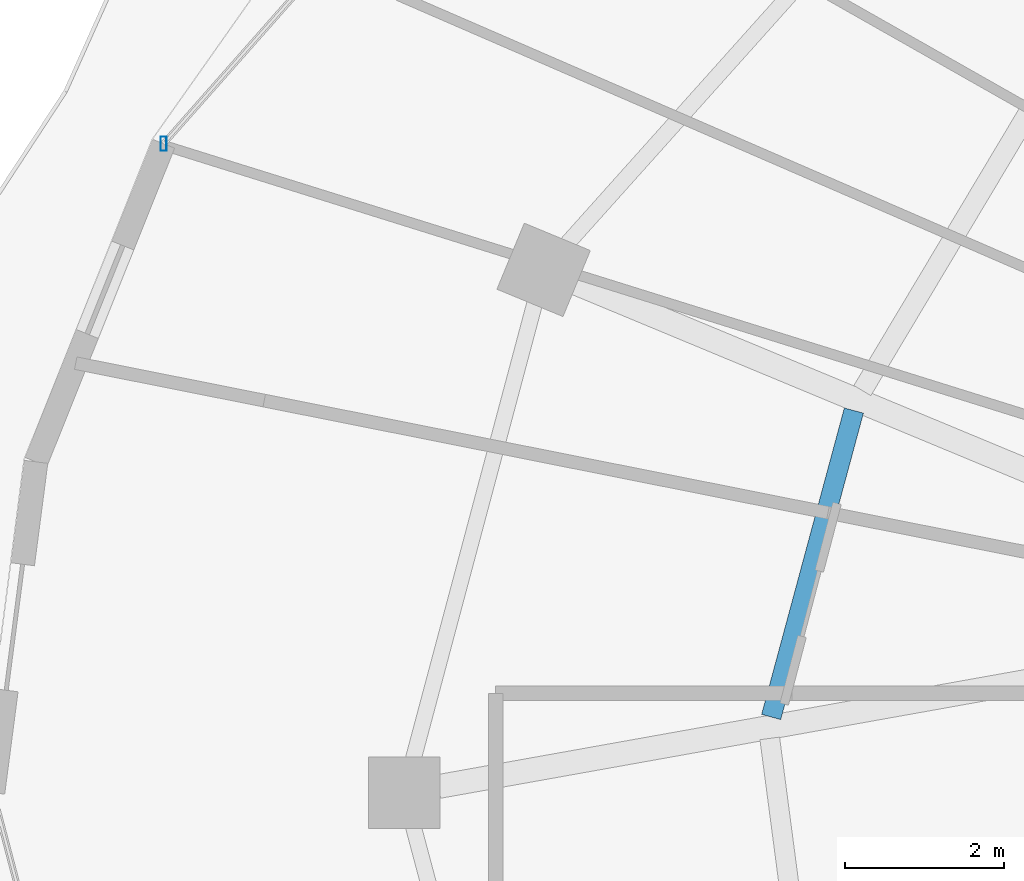
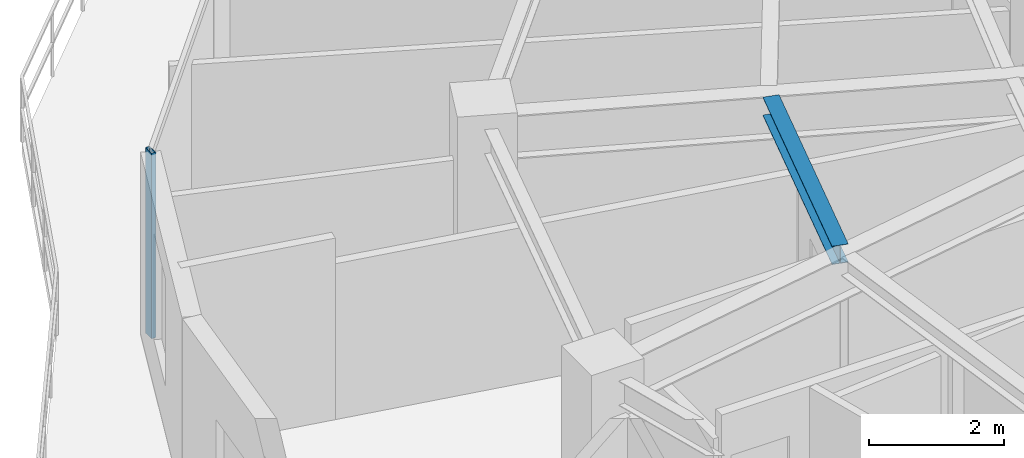
# One storey, part 9 of 34: 1 beam, 1 member, 1 element without a shape of its own.
"""IFC4 building model written with IfcOpenShell, lengths in metres."""

from ifc_helpers import new_model, si_unit, direction, frame, origin, origin_2d, place, context, subcontext, project, spatial, hollow_rectangle, i_section, extrude, material, material_profile, profile_set, type_object, element, aggregate, save


model = new_model("IFC4")

# Units and contexts
model_context = context("Model", 3, precision=1e-05, world=origin(), true_north=direction((0.0, 1.0)))
body_context = subcontext(model_context, "Body", "Model", "MODEL_VIEW")
ifc_project = project(units=[si_unit("LENGTHUNIT", "METRE"), si_unit("AREAUNIT", "SQUARE_METRE"), si_unit("VOLUMEUNIT", "CUBIC_METRE"), si_unit("PLANEANGLEUNIT", "RADIAN"), si_unit("MASSUNIT", "GRAM", prefix="KILO")], contexts=[model_context])

# Site, building, storey
site_placement = place(None, origin())
site = spatial("IfcSite", under=ifc_project, at=site_placement, CompositionType="ELEMENT")
building_placement = place(site_placement, origin())
building = spatial("IfcBuilding", under=site, at=building_placement, Name="Vorneva Point Tower", CompositionType="ELEMENT")
storey_placement = place(building_placement, frame((0.0, 0.0, 210.75)))
storey = spatial("IfcBuildingStorey", under=building, at=storey_placement, Name="L57", CompositionType="ELEMENT", Elevation=210.75)

# Beam
ifc_material_1 = material(Name="Steel S355", Category="steel")
ifc_material_profile_1 = material_profile(ifc_material_1, i_section(OverallWidth=0.2490234375, OverallDepth=0.333984375, WebThickness=0.008056640625, FlangeThickness=0.010986328125, at=origin_2d()), Name="35Sh1")
ifc_profile_set_1 = profile_set([ifc_material_profile_1], Name="Steel S355")
beam_type = type_object("IfcBeamType", Name="BM-SEC-35Sh1", PredefinedType="BEAM", material=ifc_profile_set_1)
beam_placement = place(storey_placement, frame((20.61083984375, 30.810791015625, 3.123046875), z_axis=(-0.260635102056, -0.965437384596, 0.0), x_axis=(0.965437384596, -0.260635102056, 0.0)))
element("IfcBeam", 1, at=beam_placement, inside=storey, type_object=beam_type, Name="L57 Secondary Floor Beam 1.08", PredefinedType="BEAM", context=body_context, shape_type="SweptSolid", body=[
    extrude(i_section(OverallWidth=0.2490234375, OverallDepth=0.333984375, WebThickness=0.008056640625, FlangeThickness=0.010986328125, at=origin_2d()), origin(), (0.0, 0.0, 1.0), 3.99609375),
])

# Curtain wall, member
ifc_material_2 = material(Name="Pale anodised aluminium", Category="aluminium")
curtain_wall_type = type_object("IfcCurtainWallType", Name="CW-RES-SYS", PredefinedType="NOTDEFINED", material=ifc_material_2)
curtain_wall_placement = place(storey_placement, origin())
curtain_wall = element("IfcCurtainWall", 2, at=curtain_wall_placement, inside=storey, type_object=curtain_wall_type, Name="L57 Unitised Curtain Wall CW-L57-R02", PredefinedType="NOTDEFINED")
ifc_material_profile_2 = material_profile(ifc_material_2, hollow_rectangle(XDim=0.074951171875, YDim=0.179931640625, WallThickness=0.00390625, at=origin_2d()), Name="AL-MUL 180x75x4")
ifc_profile_set_2 = profile_set([ifc_material_profile_2], Name="Pale anodised aluminium")
member_type = type_object("IfcMemberType", Name="CW-MUL-180", PredefinedType="MULLION", material=ifc_profile_set_2)
member_placement = place(storey_placement, frame((11.9189453125, 34.17041015625, -0.0400390625), z_axis=(0.0, 0.0, 1.0), x_axis=(1.0, 0.0, 0.0)))
member = element("IfcMember", 3, at=member_placement, type_object=member_type, Name="CW-L57-R02 Mullion 06", PredefinedType="MULLION", context=body_context, shape_type="SweptSolid", body=[
    extrude(hollow_rectangle(XDim=0.074951171875, YDim=0.179931640625, WallThickness=0.00390625, at=origin_2d()), origin(), (0.0, 0.0, 1.0), 3.360107421875),
])
aggregate(curtain_wall, [member])

save(model, "model.ifc")
